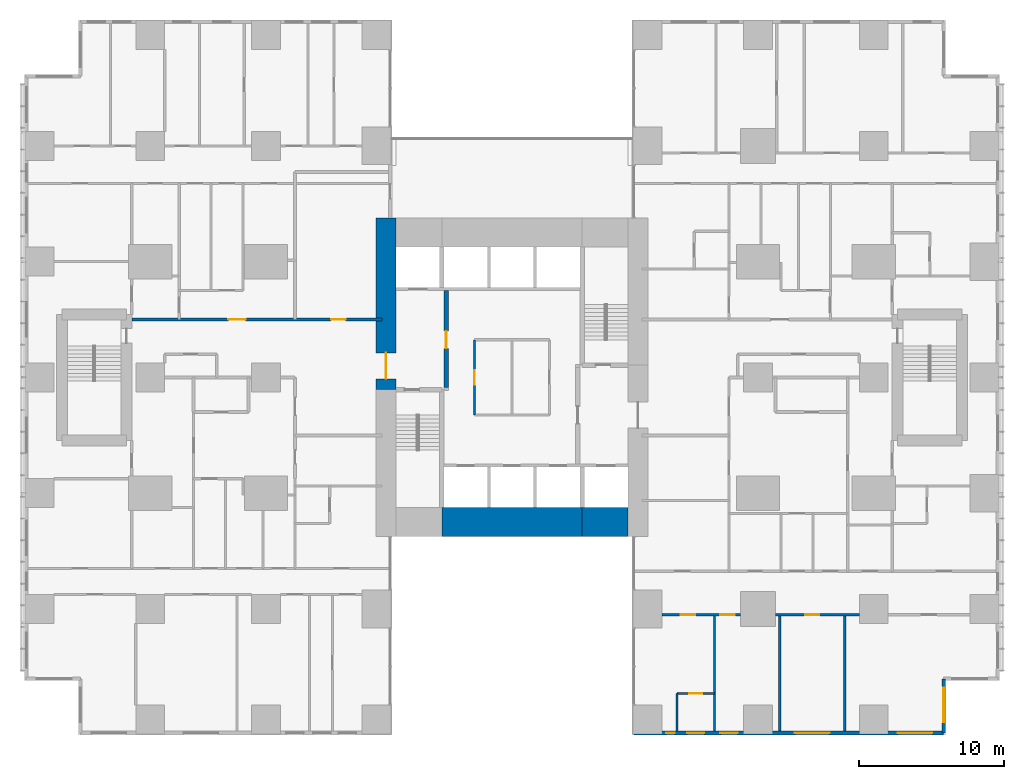
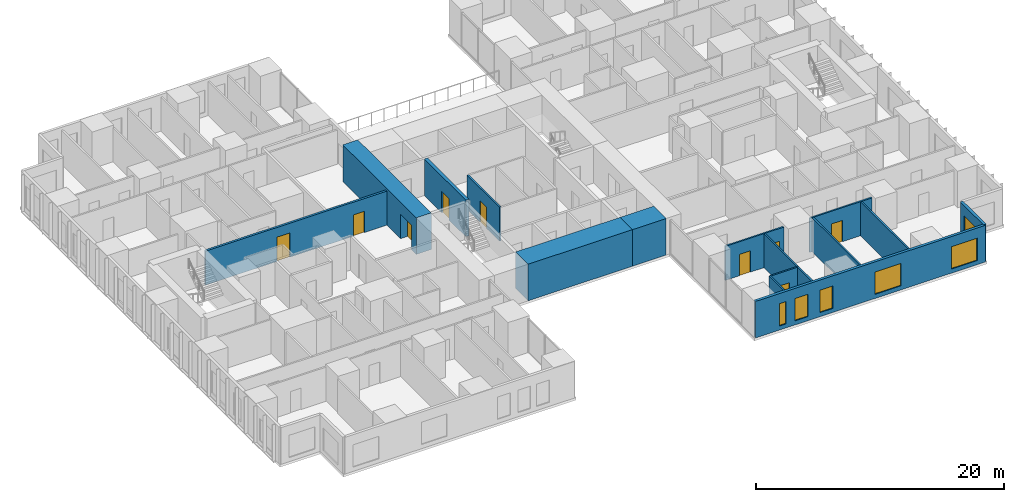
# One storey, part 14 of 20: 15 walls, 9 doors, 6 windows, 15 openings.
"""IFC4 building model written with IfcOpenShell, lengths in metres."""

import ifcopenshell
import ifcopenshell.guid

model = None  # the IFC model being written
_history = None  # IfcOwnerHistory: only IFC2X3 demands one
_inside = {}  # id of a spatial element -> (the spatial element, [elements in it])
_under = {}  # id of a project, library or spatial element -> (it, [spatial elements below it])
_declared = {}  # id of a project -> (the project, [libraries it declares])
_typed = {}  # id of a type object -> (the type object, [elements of that type])
_made_of = {}  # id of a material, layer set ... -> (it, [elements and type objects made of it])


def new_model(schema):
    """Start an empty IFC model of exactly this schema.

    Asked for "IFC4X3", IfcOpenShell would pick the latest addendum, in which some entities
    have other attributes; the version numbers below select the first issue.
    IFC2X3 requires an IfcOwnerHistory on every rooted entity: one is made here for all.
    """
    global model, _history
    if schema == "IFC4X3":
        model = ifcopenshell.file(schema_version=(4, 3, 0, 0))
    else:
        model = ifcopenshell.file(schema=schema)
    _inside.clear()
    _under.clear()
    _declared.clear()
    _typed.clear()
    _made_of.clear()
    _history = None
    if model.schema == "IFC2X3":
        org = make("IfcOrganization", Name="unknown")
        user = make(
            "IfcPersonAndOrganization",
            ThePerson=make("IfcPerson", FamilyName="unknown"),
            TheOrganization=org,
        )
        app = make(
            "IfcApplication",
            ApplicationDeveloper=org,
            Version="unknown",
            ApplicationFullName="unknown",
            ApplicationIdentifier="unknown",
        )
        _history = make(
            "IfcOwnerHistory",
            OwningUser=user,
            OwningApplication=app,
            ChangeAction="ADDED",
            CreationDate=0,
        )
    return model


def make(cls, **values):
    """One entity of the class cls with the attributes given. An attribute that is None is left unset."""
    return model.create_entity(
        cls, **{name: value for name, value in values.items() if value is not None}
    )


def rooted(cls, **values):
    """An entity with a GlobalId (a new one), such as an element, a storey or a relation."""
    return make(cls, GlobalId=ifcopenshell.guid.new(), OwnerHistory=_history, **values)


def si_unit(unit_type, name, prefix=None):
    """IfcSIUnit, for example si_unit("LENGTHUNIT", "METRE", prefix="MILLI")."""
    return make("IfcSIUnit", UnitType=unit_type, Prefix=prefix, Name=name)


def assignment(units):
    """IfcUnitAssignment: the units of a project."""
    return None if units is None else make("IfcUnitAssignment", Units=units)


def point(xyz):
    """IfcCartesianPoint."""
    return None if xyz is None else make("IfcCartesianPoint", Coordinates=xyz)


def direction(xyz):
    """IfcDirection."""
    return None if xyz is None else make("IfcDirection", DirectionRatios=xyz)


def frame(location, z_axis=None, x_axis=None):
    """IfcAxis2Placement3D, a coordinate frame: its origin and axes. An axis left out is left unset."""
    return make(
        "IfcAxis2Placement3D",
        Location=point(location),
        Axis=direction(z_axis),
        RefDirection=direction(x_axis),
    )


def frame_2d(location, x_axis=None):
    """IfcAxis2Placement2D, a coordinate frame in the plane: its origin and x axis."""
    return make(
        "IfcAxis2Placement2D", Location=point(location), RefDirection=direction(x_axis)
    )


def origin():
    """The frame at (0, 0, 0) with its axes left unset."""
    return frame((0.0, 0.0, 0.0))


def place(relative_to, where):
    """IfcLocalPlacement: puts the frame where relative to a parent placement (None: the world)."""
    return make(
        "IfcLocalPlacement", PlacementRelTo=relative_to, RelativePlacement=where
    )


def context(
    kind, dimensions, precision=None, world=None, true_north=None, identifier=None
):
    """IfcGeometricRepresentationContext, for example the 3D "Model" context."""
    return make(
        "IfcGeometricRepresentationContext",
        ContextIdentifier=identifier,
        ContextType=kind,
        CoordinateSpaceDimension=dimensions,
        Precision=precision,
        WorldCoordinateSystem=world,
        TrueNorth=true_north,
    )


def subcontext(parent, identifier, kind, view, scale=None):
    """IfcGeometricRepresentationSubContext, for example "Body" below "Model"."""
    return make(
        "IfcGeometricRepresentationSubContext",
        ContextIdentifier=identifier,
        ContextType=kind,
        ParentContext=parent,
        TargetScale=scale,
        TargetView=view,
    )


def project(units=None, contexts=None):
    """IfcProject with its units and contexts."""
    return rooted(
        "IfcProject",
        Name="project",
        RepresentationContexts=contexts,
        UnitsInContext=assignment(units),
    )


def spatial(cls, under=None, at=None, **own):
    """A site, building, storey or space (cls), placed at a placement, below another one or the project."""
    s = rooted(cls, ObjectPlacement=at, **own)
    if under is not None:
        _under.setdefault(under.id(), (under, []))[1].append(s)
    return s


def profile(cls, at=None, kind="AREA", **sizes):
    """A parametric profile (cls). Its sizes go by their IFC names, for example OverallWidth=200.0."""
    return make(cls, ProfileType=kind, Position=at, **sizes)


def rectangle(**sizes):
    """IfcRectangleProfileDef."""
    return profile("IfcRectangleProfileDef", **sizes)


def extrude(swept, where, along, depth):
    """IfcExtrudedAreaSolid: the profile swept, set in the frame where, extruded along a direction by depth."""
    return make(
        "IfcExtrudedAreaSolid",
        SweptArea=swept,
        Position=where,
        ExtrudedDirection=direction(along),
        Depth=depth,
    )


def shape(context_of_items, identifier, shape_type, items):
    """IfcShapeRepresentation: the items that make up one representation, for example the "Body"."""
    return make(
        "IfcShapeRepresentation",
        ContextOfItems=context_of_items,
        RepresentationIdentifier=identifier,
        RepresentationType=shape_type,
        Items=items,
    )


def material(Name=None, Category=None):
    """IfcMaterial."""
    return make("IfcMaterial", Name=Name, Category=Category)


def layer(
    of_material, thickness, ventilated=None, Name=None, Category=None, Priority=None
):
    """IfcMaterialLayer: one layer of a wall or slab, of a material (None: an air gap)."""
    return make(
        "IfcMaterialLayer",
        Material=of_material,
        LayerThickness=thickness,
        IsVentilated=ventilated,
        Name=Name,
        Category=Category,
        Priority=Priority,
    )


def layer_set(layers, Name=None):
    """IfcMaterialLayerSet."""
    return make("IfcMaterialLayerSet", MaterialLayers=layers, LayerSetName=Name)


def made_of(thing, what):
    """Note that an element or type object is made of a material, layer set ...; save() writes the relation."""
    if what is not None:
        _made_of.setdefault(what.id(), (what, []))[1].append(thing)
    return thing


def type_object(cls, material=None, **own):
    """A type object (cls), such as IfcWallType, which elements share."""
    return made_of(rooted(cls, **own), material)


def element(
    cls,
    number,
    at=None,
    inside=None,
    cuts=None,
    type_object=None,
    material=None,
    context=None,
    identifier="Body",
    shape_type=None,
    held_by="IfcProductDefinitionShape",
    body=None,
    shapes=None,
    **own,
):
    """One element of the class cls, such as IfcWall. Its Tag is "e" and its number.

    at: its placement. inside: the storey or other place that contains it. cuts: it is an
    opening in that element (IfcRelVoidsElement). A single representation is given by context,
    identifier, shape_type and body (its items); several are given by shapes. held_by: the class
    of the entity that holds the representations. save() writes the other relations.
    """
    e = rooted(cls, Tag="e%d" % number, ObjectPlacement=at, **own)
    if body is not None:
        shapes = [shape(context, identifier, shape_type, body)]
    if shapes is not None:
        e.Representation = make(held_by, Representations=shapes)
    if inside is not None:
        _inside.setdefault(inside.id(), (inside, []))[1].append(e)
    if cuts is not None:
        rooted(
            "IfcRelVoidsElement", RelatingBuildingElement=cuts, RelatedOpeningElement=e
        )
    if type_object is not None:
        _typed.setdefault(type_object.id(), (type_object, []))[1].append(e)
    return made_of(e, material)


def fill(opening, filler):
    """IfcRelFillsElement: the door or window that sits in an opening."""
    return rooted(
        "IfcRelFillsElement",
        RelatingOpeningElement=opening,
        RelatedBuildingElement=filler,
    )


def aggregate(whole, parts):
    """IfcRelAggregates: a whole, such as a stair, and the parts it consists of."""
    return rooted("IfcRelAggregates", RelatingObject=whole, RelatedObjects=parts)


def save(model, path):
    """Write the relations noted so far, then the file.

    IfcRelAggregates (storeys below a building ...), IfcRelContainedInSpatialStructure (elements
    in a storey), IfcRelDefinesByType, IfcRelAssociatesMaterial and IfcRelDeclares: one each for
    every whole, place, type object, material and project.
    """
    for whole, parts in _under.values():
        aggregate(whole, parts)
    for where, things in _inside.values():
        rooted(
            "IfcRelContainedInSpatialStructure",
            RelatedElements=things,
            RelatingStructure=where,
        )
    for kind, things in _typed.values():
        rooted("IfcRelDefinesByType", RelatedObjects=things, RelatingType=kind)
    for what, things in _made_of.values():
        rooted("IfcRelAssociatesMaterial", RelatedObjects=things, RelatingMaterial=what)
    for by, libraries in _declared.values():
        rooted("IfcRelDeclares", RelatingContext=by, RelatedDefinitions=libraries)
    model.write(path)


model = new_model("IFC4")

# Units and contexts
model_context = context("Model", 3, precision=1e-05, world=origin(), true_north=direction((0.0, 1.0)))
body_context = subcontext(model_context, "Body", "Model", "MODEL_VIEW")
ifc_project = project(units=[si_unit("LENGTHUNIT", "METRE"), si_unit("AREAUNIT", "SQUARE_METRE"), si_unit("VOLUMEUNIT", "CUBIC_METRE"), si_unit("PLANEANGLEUNIT", "RADIAN"), si_unit("MASSUNIT", "GRAM", prefix="KILO")], contexts=[model_context])

# Site, building, storey
site_placement = place(None, origin())
site = spatial("IfcSite", under=ifc_project, at=site_placement, CompositionType="ELEMENT")
building_placement = place(site_placement, origin())
building = spatial("IfcBuilding", under=site, at=building_placement, Name="Cleftline Residences", CompositionType="ELEMENT")
storey_placement = place(building_placement, frame((0.0, 0.0, 96.199951171875)))
storey = spatial("IfcBuildingStorey", under=building, at=storey_placement, Name="L24", CompositionType="ELEMENT", Elevation=96.199951171875)

# Wall, opening, door
ifc_material_1 = material(Name="Concrete B70", Category="concrete")
ifc_layer_1 = layer(ifc_material_1, 1.39990234375)
ifc_layer_set_1 = layer_set([ifc_layer_1], Name="CORE WALL 1400")
wall_type_1 = type_object("IfcWallType", Name="CORE WALL 1400", PredefinedType="SHEAR", material=ifc_layer_set_1)
wall_1_placement = place(storey_placement, frame((24.300048828125, 23.14990234375, 0.0), z_axis=(0.0, 0.0, 1.0), x_axis=(0.0, 1.0, 0.0)))
wall_1 = element("IfcWall", 1, at=wall_1_placement, inside=storey, type_object=wall_type_1, Name="Core wall W", PredefinedType="SHEAR", context=body_context, shape_type="SweptSolid", body=[
    extrude(rectangle(XDim=11.85009765625, YDim=1.39990234375, at=frame_2d((5.925048828125, 0.0))), origin(), (0.0, 0.0, 1.0), 3.60009765625),
])
opening_1_placement = place(wall_1_placement, frame((0.75, 0.0, 0.0)))
opening_1 = element("IfcOpeningElement", 2, at=opening_1_placement, cuts=wall_1, Name="Opening D7", PredefinedType="OPENING", context=body_context, shape_type="SweptSolid", body=[
    extrude(rectangle(XDim=1.800048828125, YDim=2.39990234375, at=frame_2d((0.89990234375, 1.199951171875))), frame((0.0, 0.7099609375, 0.0), z_axis=(0.0, -1.0, 0.0), x_axis=(1.0, 0.0, 0.0)), (0.0, 0.0, 1.0), 1.419921875),
])
ifc_material_2 = material(Name="Steel", Category="steel")
door_type_1 = type_object("IfcDoorType", Name="WING DOOR 1800X2400", OperationType="DOUBLE_DOOR_DOUBLE_SWING", PredefinedType="DOOR", material=ifc_material_2)
door_1_placement = place(opening_1_placement, origin())
door_1 = element("IfcDoor", 3, at=door_1_placement, inside=storey, type_object=door_type_1, Name="West wing door", OperationType="DOUBLE_DOOR_DOUBLE_SWING", OverallHeight=2.39990234375, OverallWidth=1.800048828125, PredefinedType="DOOR", context=body_context, shape_type="SweptSolid", body=[
    extrude(rectangle(XDim=1.800048828125, YDim=2.39990234375, at=frame_2d((0.89990234375, 1.199951171875))), frame((0.0, 0.02490234375, 0.0), z_axis=(0.0, -1.0, 0.0), x_axis=(1.0, 0.0, 0.0)), (0.0, 0.0, 1.0), 0.050048828125),
])
fill(opening_1, door_1)

# Walls
ifc_material_3 = material(Name="Concrete B70", Category="concrete")
ifc_layer_2 = layer(ifc_material_3, 2.0)
ifc_layer_set_2 = layer_set([ifc_layer_2], Name="CORE WALL 2000")
wall_type_2 = type_object("IfcWallType", Name="CORE WALL 2000", PredefinedType="SHEAR", material=ifc_layer_set_2)
wall_2_placement = place(storey_placement, frame((28.14990234375, 14.0, 0.0), z_axis=(0.0, 0.0, 1.0), x_axis=(1.0, 0.0, 0.0)))
element("IfcWall", 4, at=wall_2_placement, inside=storey, type_object=wall_type_2, Name="Core wall S2", PredefinedType="SHEAR", context=body_context, shape_type="SweptSolid", body=[
    extrude(rectangle(XDim=9.7001953125, YDim=2.0, at=frame_2d((4.85009765625, 0.0))), origin(), (0.0, 0.0, 1.0), 3.60009765625),
])
wall_3_placement = place(storey_placement, frame((37.85009765625, 14.0, 0.0), z_axis=(0.0, 0.0, 1.0), x_axis=(1.0, 0.0, 0.0)))
element("IfcWall", 5, at=wall_3_placement, inside=storey, type_object=wall_type_2, Name="Core wall S3", PredefinedType="SHEAR", context=body_context, shape_type="SweptSolid", body=[
    extrude(rectangle(XDim=3.14990234375, YDim=2.0, at=frame_2d((1.574951171875, 0.0))), origin(), (0.0, 0.0, 1.0), 3.60009765625),
])

# Wall, openings, windows
ifc_material_4 = material(Name="Rendered reinforced concrete blockwork", Category="masonry")
ifc_layer_3 = layer(ifc_material_4, 0.25)
ifc_layer_set_3 = layer_set([ifc_layer_3], Name="EXTERNAL WALL 250")
wall_type_3 = type_object("IfcWallType", Name="EXTERNAL WALL 250", PredefinedType="SOLIDWALL", material=ifc_layer_set_3)
wall_4_placement = place(storey_placement, frame((41.425048828125, -0.574951171875, 0.0), z_axis=(0.0, 0.0, 1.0), x_axis=(1.0, 0.0, 0.0)))
wall_4 = element("IfcWall", 6, at=wall_4_placement, inside=storey, type_object=wall_type_3, Name="External wall", PredefinedType="SOLIDWALL", context=body_context, shape_type="SweptSolid", body=[
    extrude(rectangle(XDim=21.39990234375, YDim=0.25, at=frame_2d((10.699951171875, 0.0))), origin(), (0.0, 0.0, 1.0), 3.60009765625),
])
opening_2_placement = place(wall_4_placement, frame((2.22509765625, 0.0, 0.39990234375)))
opening_2 = element("IfcOpeningElement", 7, at=opening_2_placement, cuts=wall_4, Name="Opening W10", PredefinedType="OPENING", context=body_context, shape_type="SweptSolid", body=[
    extrude(rectangle(XDim=0.60009765625, YDim=2.199951171875, at=frame_2d((0.300048828125, 1.10009765625))), frame((0.0, 0.135009765625, 0.0), z_axis=(0.0, -1.0, 0.0), x_axis=(1.0, 0.0, 0.0)), (0.0, 0.0, 1.0), 0.27001953125),
])
opening_3_placement = place(wall_4_placement, frame((3.675048828125, 0.0, 0.39990234375)))
opening_3 = element("IfcOpeningElement", 8, at=opening_3_placement, cuts=wall_4, Name="Opening W11", PredefinedType="OPENING", context=body_context, shape_type="SweptSolid", body=[
    extrude(rectangle(XDim=1.199951171875, YDim=2.199951171875, at=frame_2d((0.60009765625, 1.10009765625))), frame((0.0, 0.135009765625, 0.0), z_axis=(0.0, -1.0, 0.0), x_axis=(1.0, 0.0, 0.0)), (0.0, 0.0, 1.0), 0.27001953125),
])
opening_4_placement = place(wall_4_placement, frame((5.97509765625, 0.0, 0.39990234375)))
opening_4 = element("IfcOpeningElement", 9, at=opening_4_placement, cuts=wall_4, Name="Opening W11", PredefinedType="OPENING", context=body_context, shape_type="SweptSolid", body=[
    extrude(rectangle(XDim=1.199951171875, YDim=2.199951171875, at=frame_2d((0.60009765625, 1.10009765625))), frame((0.0, 0.135009765625, 0.0), z_axis=(0.0, -1.0, 0.0), x_axis=(1.0, 0.0, 0.0)), (0.0, 0.0, 1.0), 0.27001953125),
])
opening_5_placement = place(wall_4_placement, frame((11.125, 0.0, 0.39990234375)))
opening_5 = element("IfcOpeningElement", 10, at=opening_5_placement, cuts=wall_4, Name="Opening W12", PredefinedType="OPENING", context=body_context, shape_type="SweptSolid", body=[
    extrude(rectangle(XDim=2.39990234375, YDim=2.199951171875, at=frame_2d((1.199951171875, 1.10009765625))), frame((0.0, 0.135009765625, 0.0), z_axis=(0.0, -1.0, 0.0), x_axis=(1.0, 0.0, 0.0)), (0.0, 0.0, 1.0), 0.27001953125),
])
opening_6_placement = place(wall_4_placement, frame((18.22509765625, 0.0, 0.39990234375)))
opening_6 = element("IfcOpeningElement", 11, at=opening_6_placement, cuts=wall_4, Name="Opening W12", PredefinedType="OPENING", context=body_context, shape_type="SweptSolid", body=[
    extrude(rectangle(XDim=2.39990234375, YDim=2.199951171875, at=frame_2d((1.199951171875, 1.10009765625))), frame((0.0, 0.135009765625, 0.0), z_axis=(0.0, -1.0, 0.0), x_axis=(1.0, 0.0, 0.0)), (0.0, 0.0, 1.0), 0.27001953125),
])
ifc_material_5 = material(Name="Aluminium frame, clear double glazing", Category="aluminium")
window_type_1 = type_object("IfcWindowType", Name="WINDOW 1200X2200", PartitioningType="DOUBLE_PANEL_VERTICAL", PredefinedType="WINDOW", material=ifc_material_5)
window_1_placement = place(opening_3_placement, origin())
window_1 = element("IfcWindow", 12, at=window_1_placement, inside=storey, type_object=window_type_1, Name="Window", OverallHeight=2.199951171875, OverallWidth=1.199951171875, PartitioningType="SINGLE_PANEL", PredefinedType="WINDOW", context=body_context, shape_type="SweptSolid", body=[
    extrude(rectangle(XDim=1.199951171875, YDim=2.199951171875, at=frame_2d((0.60009765625, 1.10009765625))), frame((0.0, 0.030029296875, 0.0), z_axis=(0.0, -1.0, 0.0), x_axis=(1.0, 0.0, 0.0)), (0.0, 0.0, 1.0), 0.06005859375),
])
fill(opening_3, window_1)
window_2_placement = place(opening_4_placement, origin())
window_2 = element("IfcWindow", 13, at=window_2_placement, inside=storey, type_object=window_type_1, Name="Window", OverallHeight=2.199951171875, OverallWidth=1.199951171875, PartitioningType="SINGLE_PANEL", PredefinedType="WINDOW", context=body_context, shape_type="SweptSolid", body=[
    extrude(rectangle(XDim=1.199951171875, YDim=2.199951171875, at=frame_2d((0.60009765625, 1.10009765625))), frame((0.0, 0.030029296875, 0.0), z_axis=(0.0, -1.0, 0.0), x_axis=(1.0, 0.0, 0.0)), (0.0, 0.0, 1.0), 0.06005859375),
])
fill(opening_4, window_2)
ifc_material_6 = material(Name="Aluminium frame, clear double glazing", Category="aluminium")
window_type_2 = type_object("IfcWindowType", Name="WINDOW 2400X2200", PartitioningType="DOUBLE_PANEL_VERTICAL", PredefinedType="WINDOW", material=ifc_material_6)
window_3_placement = place(opening_5_placement, origin())
window_3 = element("IfcWindow", 14, at=window_3_placement, inside=storey, type_object=window_type_2, Name="Window", OverallHeight=2.199951171875, OverallWidth=2.39990234375, PartitioningType="SINGLE_PANEL", PredefinedType="WINDOW", context=body_context, shape_type="SweptSolid", body=[
    extrude(rectangle(XDim=2.39990234375, YDim=2.199951171875, at=frame_2d((1.199951171875, 1.10009765625))), frame((0.0, 0.030029296875, 0.0), z_axis=(0.0, -1.0, 0.0), x_axis=(1.0, 0.0, 0.0)), (0.0, 0.0, 1.0), 0.06005859375),
])
fill(opening_5, window_3)
window_4_placement = place(opening_6_placement, origin())
window_4 = element("IfcWindow", 15, at=window_4_placement, inside=storey, type_object=window_type_2, Name="Window", OverallHeight=2.199951171875, OverallWidth=2.39990234375, PartitioningType="SINGLE_PANEL", PredefinedType="WINDOW", context=body_context, shape_type="SweptSolid", body=[
    extrude(rectangle(XDim=2.39990234375, YDim=2.199951171875, at=frame_2d((1.199951171875, 1.10009765625))), frame((0.0, 0.030029296875, 0.0), z_axis=(0.0, -1.0, 0.0), x_axis=(1.0, 0.0, 0.0)), (0.0, 0.0, 1.0), 0.06005859375),
])
fill(opening_6, window_4)
ifc_material_7 = material(Name="Aluminium frame, clear double glazing", Category="aluminium")
window_type_3 = type_object("IfcWindowType", Name="WINDOW 600X2200", PartitioningType="DOUBLE_PANEL_VERTICAL", PredefinedType="WINDOW", material=ifc_material_7)
window_5_placement = place(opening_2_placement, origin())
window_5 = element("IfcWindow", 16, at=window_5_placement, inside=storey, type_object=window_type_3, Name="Window", OverallHeight=2.199951171875, OverallWidth=0.60009765625, PartitioningType="SINGLE_PANEL", PredefinedType="WINDOW", context=body_context, shape_type="SweptSolid", body=[
    extrude(rectangle(XDim=0.60009765625, YDim=2.199951171875, at=frame_2d((0.300048828125, 1.10009765625))), frame((0.0, 0.030029296875, 0.0), z_axis=(0.0, -1.0, 0.0), x_axis=(1.0, 0.0, 0.0)), (0.0, 0.0, 1.0), 0.06005859375),
])
fill(opening_2, window_5)

# Wall, opening, window
wall_5_placement = place(storey_placement, frame((62.824951171875, -0.574951171875, 0.0), z_axis=(0.0, 0.0, 1.0), x_axis=(0.0, 1.0, 0.0)))
wall_5 = element("IfcWall", 17, at=wall_5_placement, inside=storey, type_object=wall_type_3, Name="External wall", PredefinedType="SOLIDWALL", context=body_context, shape_type="SweptSolid", body=[
    extrude(rectangle(XDim=3.75, YDim=0.25, at=frame_2d((1.875, 0.0))), origin(), (0.0, 0.0, 1.0), 3.60009765625),
])
opening_7_placement = place(wall_5_placement, frame((0.737548828125, 0.0, 0.39990234375)))
opening_7 = element("IfcOpeningElement", 18, at=opening_7_placement, cuts=wall_5, Name="Opening W12", PredefinedType="OPENING", context=body_context, shape_type="SweptSolid", body=[
    extrude(rectangle(XDim=2.39990234375, YDim=2.199951171875, at=frame_2d((1.199951171875, 1.10009765625))), frame((0.0, 0.135009765625, 0.0), z_axis=(0.0, -1.0, 0.0), x_axis=(1.0, 0.0, 0.0)), (0.0, 0.0, 1.0), 0.27001953125),
])
window_6_placement = place(opening_7_placement, origin())
window_6 = element("IfcWindow", 19, at=window_6_placement, inside=storey, type_object=window_type_2, Name="Window", OverallHeight=2.199951171875, OverallWidth=2.39990234375, PartitioningType="SINGLE_PANEL", PredefinedType="WINDOW", context=body_context, shape_type="SweptSolid", body=[
    extrude(rectangle(XDim=2.39990234375, YDim=2.199951171875, at=frame_2d((1.199951171875, 1.10009765625))), frame((0.0, 0.030029296875, 0.0), z_axis=(0.0, -1.0, 0.0), x_axis=(1.0, 0.0, 0.0)), (0.0, 0.0, 1.0), 0.06005859375),
])
fill(opening_7, window_6)

# Wall, openings, doors
ifc_material_8 = material(Name="Concrete blockwork, fire rated", Category="masonry")
ifc_layer_4 = layer(ifc_material_8, 0.199951171875)
ifc_layer_set_4 = layer_set([ifc_layer_4], Name="FIRE WALL 200")
wall_type_4 = type_object("IfcWallType", Name="FIRE WALL 200", PredefinedType="PARTITIONING", material=ifc_layer_set_4)
wall_6_placement = place(storey_placement, frame((6.72509765625, 28.0, 0.0), z_axis=(0.0, 0.0, 1.0), x_axis=(1.0, 0.0, 0.0)))
wall_6 = element("IfcWall", 20, at=wall_6_placement, inside=storey, type_object=wall_type_4, Name="Fire separating wall", PredefinedType="PARTITIONING", context=body_context, shape_type="SweptSolid", body=[
    extrude(rectangle(XDim=17.27490234375, YDim=0.199951171875, at=frame_2d((8.637451171875, 0.0))), origin(), (0.0, 0.0, 1.0), 3.35009765625),
])
opening_8_placement = place(wall_6_placement, frame((6.675048828125, 0.0, 0.0)))
opening_8 = element("IfcOpeningElement", 21, at=opening_8_placement, cuts=wall_6, Name="Opening D4", PredefinedType="OPENING", context=body_context, shape_type="SweptSolid", body=[
    extrude(rectangle(XDim=1.199951171875, YDim=2.39990234375, at=frame_2d((0.60009765625, 1.199951171875))), frame((0.0, 0.10986328125, 0.0), z_axis=(0.0, -1.0, 0.0), x_axis=(1.0, 0.0, 0.0)), (0.0, 0.0, 1.0), 0.219970703125),
])
opening_9_placement = place(wall_6_placement, frame((13.77490234375, 0.0, 0.0)))
opening_9 = element("IfcOpeningElement", 22, at=opening_9_placement, cuts=wall_6, Name="Opening D2F60", PredefinedType="OPENING", context=body_context, shape_type="SweptSolid", body=[
    extrude(rectangle(XDim=1.0, YDim=2.10009765625, at=frame_2d((0.5, 1.050048828125))), frame((0.0, 0.10986328125, 0.0), z_axis=(0.0, -1.0, 0.0), x_axis=(1.0, 0.0, 0.0)), (0.0, 0.0, 1.0), 0.219970703125),
])
ifc_material_9 = material(Name="Timber veneer on solid core", Category="wood")
door_type_2 = type_object("IfcDoorType", Name="APARTMENT ENTRANCE DOOR 1200X2400", OperationType="SINGLE_SWING_RIGHT", PredefinedType="DOOR", material=ifc_material_9)
door_2_placement = place(opening_8_placement, origin())
door_2 = element("IfcDoor", 23, at=door_2_placement, inside=storey, type_object=door_type_2, Name="Door to residence entrance (gallery)", OperationType="SINGLE_SWING_RIGHT", OverallHeight=2.39990234375, OverallWidth=1.199951171875, PredefinedType="DOOR", context=body_context, shape_type="SweptSolid", body=[
    extrude(rectangle(XDim=1.199951171875, YDim=2.39990234375, at=frame_2d((0.60009765625, 1.199951171875))), frame((0.0, 0.02490234375, 0.0), z_axis=(0.0, -1.0, 0.0), x_axis=(1.0, 0.0, 0.0)), (0.0, 0.0, 1.0), 0.050048828125),
])
fill(opening_8, door_2)
ifc_material_10 = material(Name="Timber veneer on solid core", Category="wood")
door_type_3 = type_object("IfcDoorType", Name="DOOR 1000X2100 EI 60", OperationType="SINGLE_SWING_LEFT", PredefinedType="DOOR", material=ifc_material_10)
door_3_placement = place(opening_9_placement, origin())
door_3 = element("IfcDoor", 24, at=door_3_placement, inside=storey, type_object=door_type_3, Name="Door to facade maintenance room", OperationType="SINGLE_SWING_LEFT", OverallHeight=2.10009765625, OverallWidth=1.0, PredefinedType="DOOR", context=body_context, shape_type="SweptSolid", body=[
    extrude(rectangle(XDim=1.0, YDim=2.10009765625, at=frame_2d((0.5, 1.050048828125))), frame((0.0, 0.02490234375, 0.0), z_axis=(0.0, -1.0, 0.0), x_axis=(1.0, 0.0, 0.0)), (0.0, 0.0, 1.0), 0.050048828125),
])
fill(opening_9, door_3)

# Wall, opening, door
ifc_material_11 = material(Name="Gypsum board on steel studs", Category="steel")
ifc_layer_5 = layer(ifc_material_11, 0.14990234375)
ifc_layer_set_5 = layer_set([ifc_layer_5], Name="PARTITION 150")
wall_type_5 = type_object("IfcWallType", Name="PARTITION 150", PredefinedType="PARTITIONING", material=ifc_layer_set_5)
wall_7_placement = place(storey_placement, frame((44.39990234375, 2.14990234375, 0.0), z_axis=(0.0, 0.0, 1.0), x_axis=(1.0, 0.0, 0.0)))
wall_7 = element("IfcWall", 25, at=wall_7_placement, inside=storey, type_object=wall_type_5, Name="Partition", PredefinedType="PARTITIONING", context=body_context, shape_type="SweptSolid", body=[
    extrude(rectangle(XDim=2.60009765625, YDim=0.14990234375, at=frame_2d((1.300048828125, 0.0))), origin(), (0.0, 0.0, 1.0), 3.35009765625),
])
opening_10_placement = place(wall_7_placement, frame((0.85009765625, 0.0, 0.0)))
opening_10 = element("IfcOpeningElement", 26, at=opening_10_placement, cuts=wall_7, Name="Opening D1", PredefinedType="OPENING", context=body_context, shape_type="SweptSolid", body=[
    extrude(rectangle(XDim=0.89990234375, YDim=2.10009765625, at=frame_2d((0.449951171875, 1.050048828125))), frame((0.0, 0.0849609375, 0.0), z_axis=(0.0, -1.0, 0.0), x_axis=(1.0, 0.0, 0.0)), (0.0, 0.0, 1.0), 0.169921875),
])
ifc_material_12 = material(Name="Timber veneer on solid core", Category="wood")
door_type_4 = type_object("IfcDoorType", Name="DOOR 900X2100", OperationType="SINGLE_SWING_LEFT", PredefinedType="DOOR", material=ifc_material_12)
door_4_placement = place(opening_10_placement, origin())
door_4 = element("IfcDoor", 27, at=door_4_placement, inside=storey, type_object=door_type_4, Name="Door to en-suite bathroom 3", OperationType="SINGLE_SWING_LEFT", OverallHeight=2.10009765625, OverallWidth=0.89990234375, PredefinedType="DOOR", context=body_context, shape_type="SweptSolid", body=[
    extrude(rectangle(XDim=0.89990234375, YDim=2.10009765625, at=frame_2d((0.449951171875, 1.050048828125))), frame((0.0, 0.02490234375, 0.0), z_axis=(0.0, -1.0, 0.0), x_axis=(1.0, 0.0, 0.0)), (0.0, 0.0, 1.0), 0.050048828125),
])
fill(opening_10, door_4)

# Wall, openings, doors
wall_8_placement = place(storey_placement, frame((43.35009765625, 7.60009765625, 0.0), z_axis=(0.0, 0.0, 1.0), x_axis=(1.0, 0.0, 0.0)))
wall_8 = element("IfcWall", 28, at=wall_8_placement, inside=storey, type_object=wall_type_5, Name="Partition", PredefinedType="PARTITIONING", context=body_context, shape_type="SweptSolid", body=[
    extrude(rectangle(XDim=5.449951171875, YDim=0.14990234375, at=frame_2d((2.72509765625, 0.0))), origin(), (0.0, 0.0, 1.0), 3.35009765625),
])
opening_11_placement = place(wall_8_placement, frame((4.050048828125, 0.0, 0.0)))
opening_11 = element("IfcOpeningElement", 29, at=opening_11_placement, cuts=wall_8, Name="Opening D2", PredefinedType="OPENING", context=body_context, shape_type="SweptSolid", body=[
    extrude(rectangle(XDim=1.0, YDim=2.10009765625, at=frame_2d((0.5, 1.050048828125))), frame((0.0, 0.0849609375, 0.0), z_axis=(0.0, -1.0, 0.0), x_axis=(1.0, 0.0, 0.0)), (0.0, 0.0, 1.0), 0.169921875),
])
opening_12_placement = place(wall_8_placement, frame((1.324951171875, 0.0, 0.0)))
opening_12 = element("IfcOpeningElement", 30, at=opening_12_placement, cuts=wall_8, Name="Opening D2", PredefinedType="OPENING", context=body_context, shape_type="SweptSolid", body=[
    extrude(rectangle(XDim=1.0, YDim=2.10009765625, at=frame_2d((0.5, 1.050048828125))), frame((0.0, 0.0849609375, 0.0), z_axis=(0.0, -1.0, 0.0), x_axis=(1.0, 0.0, 0.0)), (0.0, 0.0, 1.0), 0.169921875),
])
ifc_material_13 = material(Name="Timber veneer on solid core", Category="wood")
door_type_5 = type_object("IfcDoorType", Name="DOOR 1000X2100", OperationType="SINGLE_SWING_LEFT", PredefinedType="DOOR", material=ifc_material_13)
door_5_placement = place(opening_11_placement, origin())
door_5 = element("IfcDoor", 31, at=door_5_placement, inside=storey, type_object=door_type_5, Name="Door to show kitchen", OperationType="SINGLE_SWING_LEFT", OverallHeight=2.10009765625, OverallWidth=1.0, PredefinedType="DOOR", context=body_context, shape_type="SweptSolid", body=[
    extrude(rectangle(XDim=1.0, YDim=2.10009765625, at=frame_2d((0.5, 1.050048828125))), frame((0.0, 0.02490234375, 0.0), z_axis=(0.0, -1.0, 0.0), x_axis=(1.0, 0.0, 0.0)), (0.0, 0.0, 1.0), 0.050048828125),
])
fill(opening_11, door_5)
door_6_placement = place(opening_12_placement, origin())
door_6 = element("IfcDoor", 32, at=door_6_placement, inside=storey, type_object=door_type_5, Name="Door to bedroom 3", OperationType="SINGLE_SWING_RIGHT", OverallHeight=2.10009765625, OverallWidth=1.0, PredefinedType="DOOR", context=body_context, shape_type="SweptSolid", body=[
    extrude(rectangle(XDim=1.0, YDim=2.10009765625, at=frame_2d((0.5, 1.050048828125))), frame((0.0, 0.02490234375, 0.0), z_axis=(0.0, -1.0, 0.0), x_axis=(1.0, 0.0, 0.0)), (0.0, 0.0, 1.0), 0.050048828125),
])
fill(opening_12, door_6)

# Wall, opening, door
wall_9_placement = place(storey_placement, frame((51.199951171875, 7.60009765625, 0.0), z_axis=(0.0, 0.0, 1.0), x_axis=(1.0, 0.0, 0.0)))
wall_9 = element("IfcWall", 33, at=wall_9_placement, inside=storey, type_object=wall_type_5, Name="Partition", PredefinedType="PARTITIONING", context=body_context, shape_type="SweptSolid", body=[
    extrude(rectangle(XDim=5.800048828125, YDim=0.14990234375, at=frame_2d((2.89990234375, 0.0))), origin(), (0.0, 0.0, 1.0), 3.35009765625),
])
opening_13_placement = place(wall_9_placement, frame((2.050048828125, 0.0, 0.0)))
opening_13 = element("IfcOpeningElement", 34, at=opening_13_placement, cuts=wall_9, Name="Opening D2", PredefinedType="OPENING", context=body_context, shape_type="SweptSolid", body=[
    extrude(rectangle(XDim=1.0, YDim=2.10009765625, at=frame_2d((0.5, 1.050048828125))), frame((0.0, 0.0849609375, 0.0), z_axis=(0.0, -1.0, 0.0), x_axis=(1.0, 0.0, 0.0)), (0.0, 0.0, 1.0), 0.169921875),
])
door_7_placement = place(opening_13_placement, origin())
door_7 = element("IfcDoor", 35, at=door_7_placement, inside=storey, type_object=door_type_5, Name="Door to dining room", OperationType="SINGLE_SWING_RIGHT", OverallHeight=2.10009765625, OverallWidth=1.0, PredefinedType="DOOR", context=body_context, shape_type="SweptSolid", body=[
    extrude(rectangle(XDim=1.0, YDim=2.10009765625, at=frame_2d((0.5, 1.050048828125))), frame((0.0, 0.02490234375, 0.0), z_axis=(0.0, -1.0, 0.0), x_axis=(1.0, 0.0, 0.0)), (0.0, 0.0, 1.0), 0.050048828125),
])
fill(opening_13, door_7)

# Walls
wall_10_placement = place(storey_placement, frame((44.39990234375, -0.449951171875, 0.0), z_axis=(0.0, 0.0, 1.0), x_axis=(0.0, 1.0, 0.0)))
element("IfcWall", 36, at=wall_10_placement, inside=storey, type_object=wall_type_5, Name="Partition", PredefinedType="PARTITIONING", context=body_context, shape_type="SweptSolid", body=[
    extrude(rectangle(XDim=2.599853515625, YDim=0.14990234375, at=frame_2d((1.2998046875, 0.0))), origin(), (0.0, 0.0, 1.0), 3.35009765625),
])
for number, where, z_axis, x_axis, name in (
    (37, (47.0, -0.449951171875, 0.0), (0.0, 0.0, 1.0), (0.0, 1.0, 0.0), "Partition"),
    (38, (51.5, -0.449951171875, 0.0), (0.0, 0.0, 1.0), (0.0, 1.0, 0.0), "Partition"),
    (39, (56.0, -0.449951171875, 0.0), (0.0, 0.0, 1.0), (0.0, 1.0, 0.0), "Partition"),
):
    element("IfcWall", number, at=place(storey_placement, frame(where, z_axis=z_axis, x_axis=x_axis)), inside=storey, type_object=wall_type_5, Name=name, PredefinedType="PARTITIONING", context=body_context, shape_type="SweptSolid", body=[
        extrude(rectangle(XDim=8.050048828125, YDim=0.14990234375, at=frame_2d((4.02490234375, 0.0))), origin(), (0.0, 0.0, 1.0), 3.35009765625),
    ])

# Wall, opening, door
ifc_material_14 = material(Name="Fire-resisting gypsum board on steel studs", Category="steel")
ifc_layer_6 = layer(ifc_material_14, 0.14990234375)
ifc_layer_set_6 = layer_set([ifc_layer_6], Name="PARTITION 150 EI 60")
wall_type_6 = type_object("IfcWallType", Name="PARTITION 150 EI 60", PredefinedType="PARTITIONING", material=ifc_layer_set_6)
wall_11_placement = place(storey_placement, frame((30.39990234375, 21.39990234375, 0.0), z_axis=(0.0, 0.0, 1.0), x_axis=(0.0, 1.0, 0.0)))
wall_11 = element("IfcWall", 40, at=wall_11_placement, inside=storey, type_object=wall_type_6, Name="Core room partition", PredefinedType="PARTITIONING", context=body_context, shape_type="SweptSolid", body=[
    extrude(rectangle(XDim=5.2001953125, YDim=0.14990234375, at=frame_2d((2.60009765625, 0.0))), origin(), (0.0, 0.0, 1.0), 3.35009765625),
])
opening_14_placement = place(wall_11_placement, frame((2.10009765625, 0.0, 0.0)))
opening_14 = element("IfcOpeningElement", 41, at=opening_14_placement, cuts=wall_11, Name="Opening D2F60", PredefinedType="OPENING", context=body_context, shape_type="SweptSolid", body=[
    extrude(rectangle(XDim=1.0, YDim=2.10009765625, at=frame_2d((0.5, 1.050048828125))), frame((0.0, 0.0849609375, 0.0), z_axis=(0.0, -1.0, 0.0), x_axis=(1.0, 0.0, 0.0)), (0.0, 0.0, 1.0), 0.169921875),
])
door_8_placement = place(opening_14_placement, origin())
door_8 = element("IfcDoor", 42, at=door_8_placement, inside=storey, type_object=door_type_3, Name="Door to communications room", OperationType="SINGLE_SWING_LEFT", OverallHeight=2.10009765625, OverallWidth=1.0, PredefinedType="DOOR", context=body_context, shape_type="SweptSolid", body=[
    extrude(rectangle(XDim=1.0, YDim=2.10009765625, at=frame_2d((0.5, 1.050048828125))), frame((0.0, 0.02490234375, 0.0), z_axis=(0.0, -1.0, 0.0), x_axis=(1.0, 0.0, 0.0)), (0.0, 0.0, 1.0), 0.050048828125),
])
fill(opening_14, door_8)

ifc_material_15 = material(Name="Concrete blockwork, fire rated", Category="masonry")
ifc_layer_7 = layer(ifc_material_15, 0.300048828125)
ifc_layer_set_7 = layer_set([ifc_layer_7], Name="STAIR LOBBY WALL 300")
wall_type_7 = type_object("IfcWallType", Name="STAIR LOBBY WALL 300", PredefinedType="PARTITIONING", material=ifc_layer_set_7)
wall_12_placement = place(storey_placement, frame((28.449951171875, 23.300048828125, 0.0), z_axis=(0.0, 0.0, 1.0), x_axis=(0.0, 1.0, 0.0)))
wall_12 = element("IfcWall", 43, at=wall_12_placement, inside=storey, type_object=wall_type_7, Name="Stair and lobby wall FA-E", PredefinedType="PARTITIONING", context=body_context, shape_type="SweptSolid", body=[
    extrude(rectangle(XDim=6.699951171875, YDim=0.300048828125, at=frame_2d((3.35009765625, 0.0))), origin(), (0.0, 0.0, 1.0), 3.60009765625),
])
opening_15_placement = place(wall_12_placement, frame((2.699951171875, 0.0, 0.0)))
opening_15 = element("IfcOpeningElement", 44, at=opening_15_placement, cuts=wall_12, Name="Opening D6", PredefinedType="OPENING", context=body_context, shape_type="SweptSolid", body=[
    extrude(rectangle(XDim=1.199951171875, YDim=2.10009765625, at=frame_2d((0.60009765625, 1.050048828125))), frame((0.0, 0.159912109375, 0.0), z_axis=(0.0, -1.0, 0.0), x_axis=(1.0, 0.0, 0.0)), (0.0, 0.0, 1.0), 0.320068359375),
])
ifc_material_16 = material(Name="Steel", Category="steel")
door_type_6 = type_object("IfcDoorType", Name="LOBBY DOOR 1200X2100", OperationType="SINGLE_SWING_RIGHT", PredefinedType="DOOR", material=ifc_material_16)
door_9_placement = place(opening_15_placement, origin())
door_9 = element("IfcDoor", 45, at=door_9_placement, inside=storey, type_object=door_type_6, Name="Firefighting lobby A door", OperationType="SINGLE_SWING_RIGHT", OverallHeight=2.10009765625, OverallWidth=1.199951171875, PredefinedType="DOOR", context=body_context, shape_type="SweptSolid", body=[
    extrude(rectangle(XDim=1.199951171875, YDim=2.10009765625, at=frame_2d((0.60009765625, 1.050048828125))), frame((0.0, 0.02490234375, 0.0), z_axis=(0.0, -1.0, 0.0), x_axis=(1.0, 0.0, 0.0)), (0.0, 0.0, 1.0), 0.050048828125),
])
fill(opening_15, door_9)

save(model, "model.ifc")
